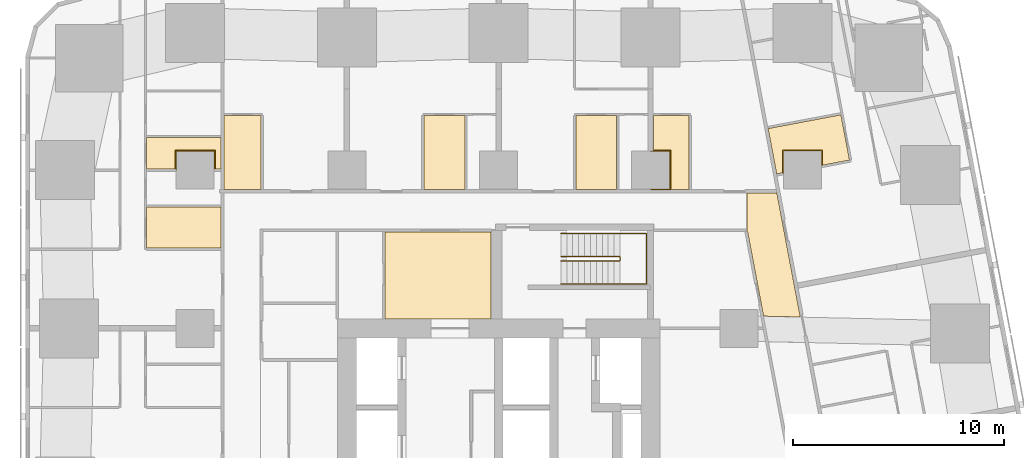
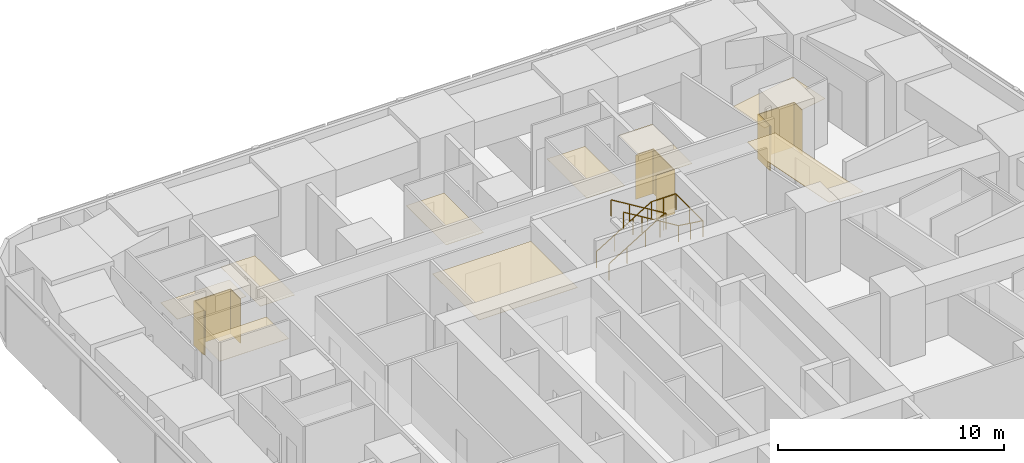
# One storey, part 15 of 15: 12 coverings, 2 railings.
"""IFC4 building model written with IfcOpenShell, lengths in metres."""

from ifc_helpers import new_model, si_unit, direction, frame, origin, origin_2d, place, context, subcontext, project, spatial, polyline, circle, outline, extrude, material, layer, layer_set, type_object, element, save


model = new_model("IFC4")

# Units and contexts
model_context = context("Model", 3, precision=1e-05, world=origin(), true_north=direction((0.0, 1.0)))
body_context = subcontext(model_context, "Body", "Model", "MODEL_VIEW")
ifc_project = project(units=[si_unit("LENGTHUNIT", "METRE"), si_unit("AREAUNIT", "SQUARE_METRE"), si_unit("VOLUMEUNIT", "CUBIC_METRE"), si_unit("PLANEANGLEUNIT", "RADIAN"), si_unit("MASSUNIT", "GRAM", prefix="KILO")], contexts=[model_context])

# Site, building, storey
site_placement = place(None, origin())
site = spatial("IfcSite", under=ifc_project, at=site_placement, CompositionType="ELEMENT")
building_placement = place(site_placement, origin())
building = spatial("IfcBuilding", under=site, at=building_placement, Name="Sheger Commons Tower", CompositionType="ELEMENT")
storey_placement = place(building_placement, frame((0.0, 0.0, 46.25)))
storey = spatial("IfcBuildingStorey", under=building, at=storey_placement, Name="L11", CompositionType="ELEMENT", Elevation=46.25)

# Railings
ifc_material_1 = material(Name="Steel handrail, black powder-coated", Category="steel")
railing_type = type_object("IfcRailingType", Name="HANDRAIL 900", PredefinedType="HANDRAIL", material=ifc_material_1)
railing_1_placement = place(storey_placement, frame((24.550048828125, 33.39990234375, 0.17041015625)))
element("IfcRailing", 1, at=railing_1_placement, inside=storey, type_object=railing_type, Name="Stair S2 handrail L11", PredefinedType="HANDRAIL", context=body_context, shape_type="SweptSolid", body=[
    extrude(circle(Radius=0.02392578125, at=origin_2d()), frame((0.0, 0.0, 0.8759765625), z_axis=(0.854169791009, 0.0, 0.51999420009), x_axis=(0.0, 1.0, 0.0)), (0.0, 0.0, 1.0), 3.278076171875),
    extrude(circle(Radius=0.02392578125, at=origin_2d()), frame((2.800048828125, 0.0, 2.58056640625), z_axis=(0.0, -0.761090297175, 0.648645943136), x_axis=(1.0, 0.0, 0.0)), (0.0, 0.0, 1.0), 0.2626953125),
    extrude(circle(Radius=0.02392578125, at=origin_2d()), frame((2.800048828125, -0.199951171875, 2.7509765625), z_axis=(-0.854169791009, 0.0, 0.51999420009), x_axis=(0.0, -1.0, 0.0)), (0.0, 0.0, 1.0), 3.278076171875),
    extrude(circle(Radius=0.02099609375, at=origin_2d()), origin(), (0.0, 0.0, 1.0), 0.851806640625),
    extrude(circle(Radius=0.02099609375, at=origin_2d()), frame((0.933349609375, 0.0, 0.568115234375)), (0.0, 0.0, 1.0), 0.851806640625),
    extrude(circle(Radius=0.02099609375, at=origin_2d()), frame((1.86669921875, 0.0, 1.136474609375)), (0.0, 0.0, 1.0), 0.851806640625),
    extrude(circle(Radius=0.02099609375, at=origin_2d()), frame((2.800048828125, 0.0, 1.70458984375)), (0.0, 0.0, 1.0), 0.851806640625),
    extrude(circle(Radius=0.02099609375, at=origin_2d()), frame((2.800048828125, -0.199951171875, 1.875)), (0.0, 0.0, 1.0), 0.851806640625),
    extrude(circle(Radius=0.02099609375, at=origin_2d()), frame((1.86669921875, -0.199951171875, 2.443115234375)), (0.0, 0.0, 1.0), 0.851806640625),
    extrude(circle(Radius=0.02099609375, at=origin_2d()), frame((0.933349609375, -0.199951171875, 3.011474609375)), (0.0, 0.0, 1.0), 0.851806640625),
    extrude(circle(Radius=0.02099609375, at=origin_2d()), frame((0.0, -0.199951171875, 3.57958984375)), (0.0, 0.0, 1.0), 0.851806640625),
])
railing_2_placement = place(storey_placement, frame((24.550048828125, 34.5, 0.17041015625)))
element("IfcRailing", 2, at=railing_2_placement, inside=storey, type_object=railing_type, Name="Stair S2 handrail L11", PredefinedType="HANDRAIL", context=body_context, shape_type="SweptSolid", body=[
    extrude(circle(Radius=0.02392578125, at=origin_2d()), frame((0.0, 0.0, 0.8759765625), z_axis=(0.854169791009, 0.0, 0.51999420009), x_axis=(0.0, 1.0, 0.0)), (0.0, 0.0, 1.0), 3.278076171875),
    extrude(circle(Radius=0.02392578125, at=origin_2d()), frame((2.800048828125, 0.0, 2.58056640625), z_axis=(1.0, 0.0, 0.0), x_axis=(0.0, 1.0, 0.0)), (0.0, 0.0, 1.0), 1.25),
    extrude(circle(Radius=0.02392578125, at=origin_2d()), frame((4.050048828125, 0.0, 2.58056640625), z_axis=(0.0, -1.0, 0.0), x_axis=(1.0, 0.0, 0.0)), (0.0, 0.0, 1.0), 2.39990234375),
    extrude(circle(Radius=0.02392578125, at=origin_2d()), frame((4.050048828125, -2.39990234375, 2.58056640625), z_axis=(-0.990834877927, 0.0, 0.135078661092), x_axis=(0.0, -1.0, 0.0)), (0.0, 0.0, 1.0), 1.261474609375),
    extrude(circle(Radius=0.02392578125, at=origin_2d()), frame((2.800048828125, -2.39990234375, 2.7509765625), z_axis=(-0.854169791009, 0.0, 0.51999420009), x_axis=(0.0, -1.0, 0.0)), (0.0, 0.0, 1.0), 3.278076171875),
    extrude(circle(Radius=0.02099609375, at=origin_2d()), origin(), (0.0, 0.0, 1.0), 0.851806640625),
    extrude(circle(Radius=0.02099609375, at=origin_2d()), frame((0.933349609375, 0.0, 0.568115234375)), (0.0, 0.0, 1.0), 0.851806640625),
    extrude(circle(Radius=0.02099609375, at=origin_2d()), frame((1.86669921875, 0.0, 1.136474609375)), (0.0, 0.0, 1.0), 0.851806640625),
    extrude(circle(Radius=0.02099609375, at=origin_2d()), frame((2.800048828125, 0.0, 1.70458984375)), (0.0, 0.0, 1.0), 0.851806640625),
    extrude(circle(Radius=0.02099609375, at=origin_2d()), frame((3.425048828125, 0.0, 1.70458984375)), (0.0, 0.0, 1.0), 0.851806640625),
    extrude(circle(Radius=0.02099609375, at=origin_2d()), frame((4.050048828125, 0.0, 1.70458984375)), (0.0, 0.0, 1.0), 0.851806640625),
    extrude(circle(Radius=0.02099609375, at=origin_2d()), frame((4.050048828125, -1.199951171875, 1.70458984375)), (0.0, 0.0, 1.0), 0.851806640625),
    extrude(circle(Radius=0.02099609375, at=origin_2d()), frame((4.050048828125, -2.39990234375, 1.70458984375)), (0.0, 0.0, 1.0), 0.851806640625),
    extrude(circle(Radius=0.02099609375, at=origin_2d()), frame((3.425048828125, -2.39990234375, 1.789794921875)), (0.0, 0.0, 1.0), 0.851806640625),
    extrude(circle(Radius=0.02099609375, at=origin_2d()), frame((2.800048828125, -2.39990234375, 1.875)), (0.0, 0.0, 1.0), 0.851806640625),
    extrude(circle(Radius=0.02099609375, at=origin_2d()), frame((1.86669921875, -2.39990234375, 2.443115234375)), (0.0, 0.0, 1.0), 0.851806640625),
    extrude(circle(Radius=0.02099609375, at=origin_2d()), frame((0.933349609375, -2.39990234375, 3.011474609375)), (0.0, 0.0, 1.0), 0.851806640625),
    extrude(circle(Radius=0.02099609375, at=origin_2d()), frame((0.0, -2.39990234375, 3.57958984375)), (0.0, 0.0, 1.0), 0.851806640625),
])

# Coverings
ifc_material_2 = material(Name="Moisture-resistant gypsum plasterboard 15 mm on a suspended galvanised steel grid", Category="steel")
ifc_layer_1 = layer(ifc_material_2, 0.014892578125)
ifc_layer_set_1 = layer_set([ifc_layer_1], Name="MOISTURE-RESISTANT CEILING 15")
covering_type_1 = type_object("IfcCoveringType", Name="MOISTURE-RESISTANT CEILING 15", PredefinedType="CEILING", material=ifc_layer_set_1)
covering_1_placement = place(storey_placement, frame((0.0, 0.0, 2.39990234375)))
element("IfcCovering", 3, at=covering_1_placement, inside=storey, type_object=covering_type_1, Name="L11-04.B1 ceiling", PredefinedType="CEILING", context=body_context, shape_type="SweptSolid", body=[
    extrude(outline(polyline([(4.905029296875, 33.804931640625), (8.419921875, 33.804931640625), (8.419921875, 35.7451171875), (4.905029296875, 35.7451171875), (4.905029296875, 33.804931640625)])), origin(), (0.0, 0.0, 1.0), 0.01513671875),
])
covering_2_placement = place(storey_placement, frame((0.0, 0.0, 2.39990234375)))
element("IfcCovering", 4, at=covering_2_placement, inside=storey, type_object=covering_type_1, Name="L11-04.B2 ceiling", PredefinedType="CEILING", context=body_context, shape_type="SweptSolid", body=[
    extrude(outline(polyline([(4.905029296875, 37.554931640625), (6.294921875, 37.554931640625), (6.294921875, 38.405029296875), (8.10498046875, 38.405029296875), (8.10498046875, 37.554931640625), (8.419921875, 37.554931640625), (8.419921875, 39.044921875), (4.905029296875, 39.044921875), (4.905029296875, 37.554931640625)])), origin(), (0.0, 0.0, 1.0), 0.01513671875),
])
covering_3_placement = place(storey_placement, frame((0.0, 0.0, 2.39990234375)))
element("IfcCovering", 5, at=covering_3_placement, inside=storey, type_object=covering_type_1, Name="L11-10.B1 ceiling", PredefinedType="CEILING", context=body_context, shape_type="SweptSolid", body=[
    extrude(outline(polyline([(34.781005859375, 37.325927734375), (35.0849609375, 37.383056640625), (35.093017578125, 37.340087890625), (35.094970703125, 37.340087890625), (35.094970703125, 38.405029296875), (36.905029296875, 38.405029296875), (36.905029296875, 37.72802734375), (38.23388671875, 37.97900390625), (37.827880859375, 40.126953125), (34.375, 39.47509765625), (34.781005859375, 37.325927734375)])), origin(), (0.0, 0.0, 1.0), 0.01513671875),
])
covering_4_placement = place(storey_placement, frame((0.0, 0.0, 2.39990234375)))
element("IfcCovering", 6, at=covering_4_placement, inside=storey, type_object=covering_type_1, Name="L11-14.B1 ceiling", PredefinedType="CEILING", context=body_context, shape_type="SweptSolid", body=[
    extrude(outline(polyline([(8.580078125, 36.580078125), (10.3349609375, 36.580078125), (10.3349609375, 40.094970703125), (8.580078125, 40.094970703125), (8.580078125, 36.580078125)])), origin(), (0.0, 0.0, 1.0), 0.01513671875),
])
covering_5_placement = place(storey_placement, frame((0.0, 0.0, 2.39990234375)))
element("IfcCovering", 7, at=covering_5_placement, inside=storey, type_object=covering_type_1, Name="L11-15.B1 ceiling", PredefinedType="CEILING", context=body_context, shape_type="SweptSolid", body=[
    extrude(outline(polyline([(18.054931640625, 36.580078125), (19.9951171875, 36.580078125), (19.9951171875, 40.094970703125), (18.054931640625, 40.094970703125), (18.054931640625, 36.580078125)])), origin(), (0.0, 0.0, 1.0), 0.01513671875),
])
covering_6_placement = place(storey_placement, frame((0.0, 0.0, 2.39990234375)))
element("IfcCovering", 8, at=covering_6_placement, inside=storey, type_object=covering_type_1, Name="L11-16.B1 ceiling", PredefinedType="CEILING", context=body_context, shape_type="SweptSolid", body=[
    extrude(outline(polyline([(25.2548828125, 36.580078125), (27.195068359375, 36.580078125), (27.195068359375, 40.094970703125), (25.2548828125, 40.094970703125), (25.2548828125, 36.580078125)])), origin(), (0.0, 0.0, 1.0), 0.01513671875),
])
covering_7_placement = place(storey_placement, frame((0.0, 0.0, 2.39990234375)))
element("IfcCovering", 9, at=covering_7_placement, inside=storey, type_object=covering_type_1, Name="L11-17.B1 ceiling", PredefinedType="CEILING", context=body_context, shape_type="SweptSolid", body=[
    extrude(outline(polyline([(28.800048828125, 36.580078125), (30.635009765625, 36.580078125), (30.635009765625, 40.094970703125), (28.929931640625, 40.094970703125), (28.929931640625, 38.405029296875), (29.705078125, 38.405029296875), (29.705078125, 36.594970703125), (28.800048828125, 36.594970703125), (28.800048828125, 36.580078125)])), origin(), (0.0, 0.0, 1.0), 0.01513671875),
])
ifc_material_3 = material(Name="Gypsum plasterboard 15 mm on a suspended steel grid", Category="steel")
ifc_layer_2 = layer(ifc_material_3, 0.014892578125)
ifc_layer_set_2 = layer_set([ifc_layer_2], Name="SUSPENDED CEILING 15")
covering_type_2 = type_object("IfcCoveringType", Name="SUSPENDED CEILING 15", PredefinedType="CEILING", material=ifc_layer_set_2)
covering_8_placement = place(storey_placement, frame((0.0, 0.0, 2.699951171875)))
element("IfcCovering", 10, at=covering_8_placement, inside=storey, type_object=covering_type_2, Name="L11-CO ceiling", PredefinedType="CEILING", context=body_context, shape_type="SweptSolid", body=[
    extrude(outline(polyline([(35.89990234375, 30.5400390625), (34.77392578125, 36.5), (34.77001953125, 36.5), (34.77001953125, 36.419921875), (33.365966796875, 36.419921875), (33.365966796875, 34.699951171875), (33.365966796875, 34.697998046875), (33.364013671875, 34.697998046875), (33.382080078125, 34.60205078125), (33.39892578125, 34.60498046875), (34.159912109375, 30.5791015625), (35.89990234375, 30.5400390625)])), origin(), (0.0, 0.0, 1.0), 0.01513671875),
])
covering_9_placement = place(storey_placement, frame((0.0, 0.0, 2.699951171875)))
element("IfcCovering", 11, at=covering_9_placement, inside=storey, type_object=covering_type_2, Name="L11-SVN1 ceiling", PredefinedType="CEILING", context=body_context, shape_type="SweptSolid", body=[
    extrude(outline(polyline([(16.217041015625, 30.455078125), (21.2451171875, 30.455078125), (21.2451171875, 34.58203125), (16.217041015625, 34.58203125), (16.217041015625, 30.455078125)])), origin(), (0.0, 0.0, 1.0), 0.01513671875),
])
ifc_material_4 = material(Name="Moisture-resistant gypsum board 12.5 mm on 25 mm treated timber battens, tanked and tiled", Category="wood")
ifc_layer_3 = layer(ifc_material_4, 0.050048828125)
ifc_layer_set_3 = layer_set([ifc_layer_3], Name="WET-ROOM COLUMN LINING")
covering_type_3 = type_object("IfcCoveringType", Name="WET-ROOM COLUMN LINING", PredefinedType="CLADDING", material=ifc_layer_set_3)
covering_10_placement = place(storey_placement, origin())
element("IfcCovering", 12, at=covering_10_placement, inside=storey, type_object=covering_type_3, Name="Shower room column lining C8 L11", PredefinedType="CLADDING", context=body_context, shape_type="SweptSolid", body=[
    extrude(outline(polyline([(8.14990234375, 38.449951171875), (8.14990234375, 37.550048828125), (8.10107421875, 37.550048828125), (8.10107421875, 37.5), (8.10009765625, 37.5), (8.10009765625, 38.39990234375), (6.300048828125, 38.39990234375), (6.300048828125, 37.5), (6.299072265625, 37.5), (6.299072265625, 37.550048828125), (6.25, 37.550048828125), (6.25, 38.449951171875), (8.14990234375, 38.449951171875)])), origin(), (0.0, 0.0, 1.0), 2.39990234375),
])
covering_11_placement = place(storey_placement, origin())
element("IfcCovering", 13, at=covering_11_placement, inside=storey, type_object=covering_type_3, Name="Shower room column lining C8 L11", PredefinedType="CLADDING", context=body_context, shape_type="SweptSolid", body=[
    extrude(outline(polyline([(29.75, 36.574951171875), (28.800048828125, 36.574951171875), (28.800048828125, 36.60009765625), (29.699951171875, 36.60009765625), (29.699951171875, 38.39990234375), (28.800048828125, 38.39990234375), (28.800048828125, 38.40087890625), (28.925048828125, 38.40087890625), (28.925048828125, 38.449951171875), (29.75, 38.449951171875), (29.75, 36.574951171875)])), origin(), (0.0, 0.0, 1.0), 2.39990234375),
])
covering_12_placement = place(storey_placement, origin())
element("IfcCovering", 14, at=covering_12_placement, inside=storey, type_object=covering_type_3, Name="Bathroom column lining C8 L11", PredefinedType="CLADDING", context=body_context, shape_type="SweptSolid", body=[
    extrude(outline(polyline([(36.949951171875, 38.449951171875), (36.949951171875, 37.73095703125), (36.90087890625, 37.721923828125), (36.909912109375, 37.673095703125), (36.89990234375, 37.6708984375), (36.89990234375, 38.39990234375), (35.10009765625, 38.39990234375), (35.10009765625, 37.330078125), (35.090087890625, 37.327880859375), (35.0810546875, 37.376953125), (35.050048828125, 37.37109375), (35.050048828125, 38.449951171875), (36.949951171875, 38.449951171875)])), origin(), (0.0, 0.0, 1.0), 2.39990234375),
])

save(model, "model.ifc")
